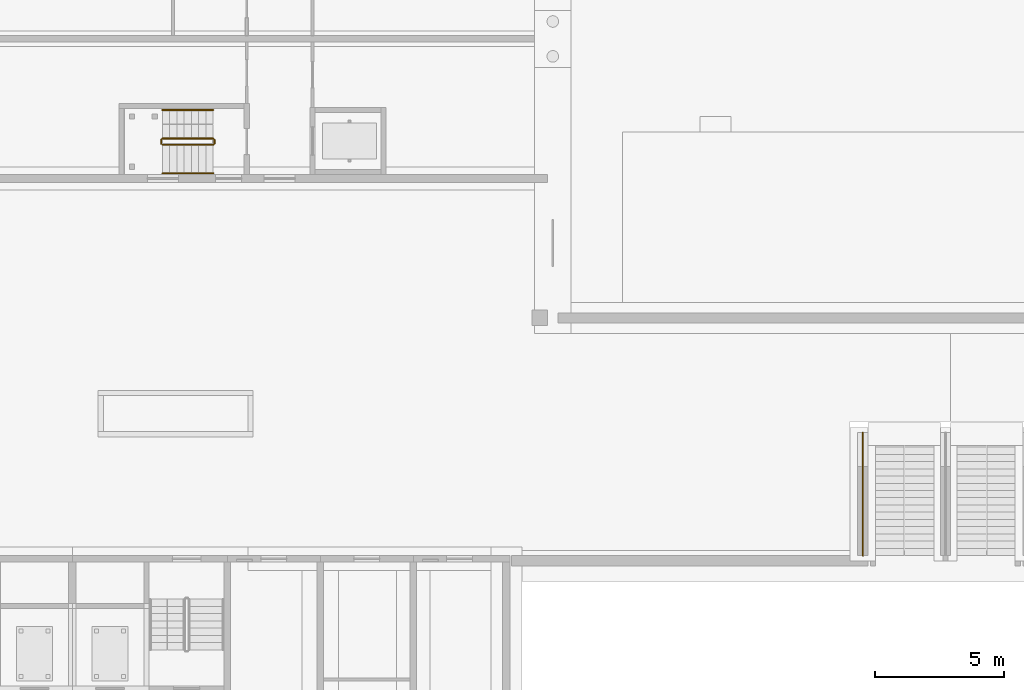
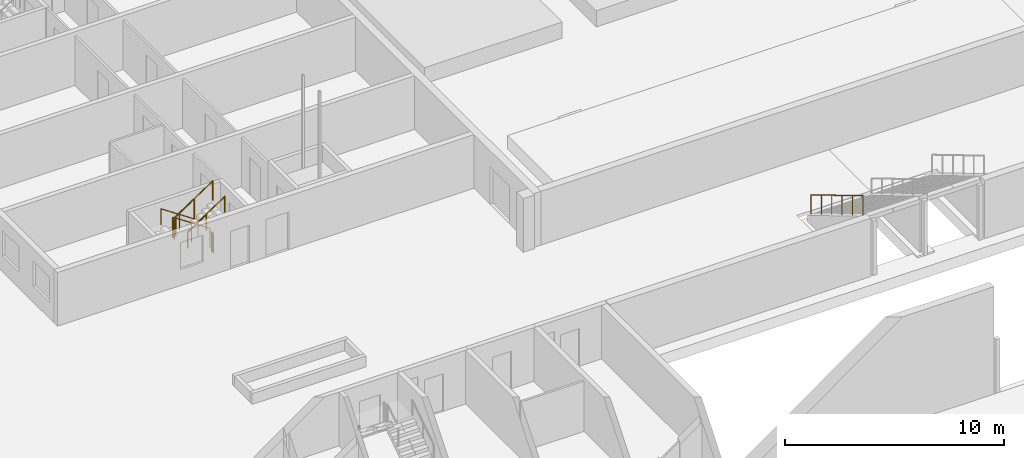
# One storey, part 92 of 112: 7 railings.
"""IFC4 building model written with IfcOpenShell, lengths in metres."""

from ifc_helpers import new_model, si_unit, direction, frame, origin, origin_2d, place, context, subcontext, project, spatial, circle, extrude, material, type_object, element, save


model = new_model("IFC4")

# Units and contexts
model_context = context("Model", 3, precision=1e-05, world=origin(), true_north=direction((0.0, 1.0)))
body_context = subcontext(model_context, "Body", "Model", "MODEL_VIEW")
ifc_project = project(units=[si_unit("LENGTHUNIT", "METRE"), si_unit("AREAUNIT", "SQUARE_METRE"), si_unit("VOLUMEUNIT", "CUBIC_METRE"), si_unit("PLANEANGLEUNIT", "RADIAN"), si_unit("MASSUNIT", "GRAM", prefix="KILO")], contexts=[model_context])

# Site, building, storey
site_placement = place(None, origin())
site = spatial("IfcSite", under=ifc_project, at=site_placement, CompositionType="ELEMENT")
building_placement = place(site_placement, origin())
building = spatial("IfcBuilding", under=site, at=building_placement, Name="Ridgestep Commons", CompositionType="ELEMENT")
storey_placement = place(building_placement, origin())
storey = spatial("IfcBuildingStorey", under=building, at=storey_placement, Name="L00", CompositionType="ELEMENT", Elevation=0.0)

# Railings
ifc_material_1 = material(Name="Structural steel S355JR", Category="steel")
railing_type_1 = type_object("IfcRailingType", Name="Community stair guard 1100", PredefinedType="GUARDRAIL", material=ifc_material_1)
railing_1_placement = place(storey_placement, frame((126.60009765625, 27.760009765625, 0.166748046875)))
element("IfcRailing", 1, at=railing_1_placement, inside=storey, type_object=railing_type_1, Name="Stair guard", PredefinedType="GUARDRAIL", context=body_context, shape_type="SweptSolid", body=[
    extrude(circle(Radius=0.02392578125, at=origin_2d()), frame((0.0, 0.0, 1.076171875), z_axis=(0.0, -0.859299802514, 0.511472237174), x_axis=(1.0, 0.0, 0.0)), (0.0, 0.0, 1.0), 5.539306640625),
    extrude(circle(Radius=0.02099609375, at=origin_2d()), origin(), (0.0, 0.0, 1.0), 1.052001953125),
    extrude(circle(Radius=0.02099609375, at=origin_2d()), frame((0.0, -0.951904296875, 0.566650390625)), (0.0, 0.0, 1.0), 1.052001953125),
    extrude(circle(Radius=0.02099609375, at=origin_2d()), frame((0.0, -1.904052734375, 1.13330078125)), (0.0, 0.0, 1.0), 1.052001953125),
    extrude(circle(Radius=0.02099609375, at=origin_2d()), frame((0.0, -2.85595703125, 1.699951171875)), (0.0, 0.0, 1.0), 1.052001953125),
    extrude(circle(Radius=0.02099609375, at=origin_2d()), frame((0.0, -3.80810546875, 2.2666015625)), (0.0, 0.0, 1.0), 1.052001953125),
    extrude(circle(Radius=0.02099609375, at=origin_2d()), frame((0.0, -4.760009765625, 2.833251953125)), (0.0, 0.0, 1.0), 1.052001953125),
])
railing_2_placement = place(storey_placement, frame((101.449951171875, 39.14990234375, 0.1875)))
element("IfcRailing", 2, at=railing_2_placement, inside=storey, type_object=railing_type_1, Name="L00 AW-ST0 stair guard 1", PredefinedType="GUARDRAIL", context=body_context, shape_type="SweptSolid", body=[
    extrude(circle(Radius=0.02392578125, at=origin_2d()), frame((0.0, 0.0, 1.076171875), z_axis=(-0.830902050051, 0.0, 0.556418712142), x_axis=(0.0, -1.0, 0.0)), (0.0, 0.0, 1.0), 2.35888671875),
    extrude(circle(Radius=0.02099609375, at=origin_2d()), origin(), (0.0, 0.0, 1.0), 1.052001953125),
    extrude(circle(Radius=0.02099609375, at=origin_2d()), frame((-0.97998046875, 0.0, 0.65625)), (0.0, 0.0, 1.0), 1.052001953125),
    extrude(circle(Radius=0.02099609375, at=origin_2d()), frame((-1.9599609375, 0.0, 1.3125)), (0.0, 0.0, 1.0), 1.052001953125),
])
railing_3_placement = place(storey_placement, frame((99.43994140625, 39.10009765625, 1.5)))
element("IfcRailing", 3, at=railing_3_placement, inside=storey, type_object=railing_type_1, Name="L00 AW-ST0 stair guard 2", PredefinedType="GUARDRAIL", context=body_context, shape_type="SweptSolid", body=[
    extrude(circle(Radius=0.02392578125, at=origin_2d()), frame((0.0, 0.0, 1.076171875), z_axis=(0.0, -1.0, 0.0), x_axis=(1.0, 0.0, 0.0)), (0.0, 0.0, 1.0), 0.150146484375),
    extrude(circle(Radius=0.02099609375, at=origin_2d()), origin(), (0.0, 0.0, 1.0), 1.052001953125),
    extrude(circle(Radius=0.02099609375, at=origin_2d()), frame((0.0, -0.150146484375, 0.0)), (0.0, 0.0, 1.0), 1.052001953125),
])
railing_4_placement = place(storey_placement, frame((99.489990234375, 38.89990234375, 1.6875)))
element("IfcRailing", 4, at=railing_4_placement, inside=storey, type_object=railing_type_1, Name="L00 AW-ST0 stair guard 3", PredefinedType="GUARDRAIL", context=body_context, shape_type="SweptSolid", body=[
    extrude(circle(Radius=0.02392578125, at=origin_2d()), frame((0.0, 0.0, 1.076171875), z_axis=(0.830902050051, 0.0, 0.556418712142), x_axis=(0.0, 1.0, 0.0)), (0.0, 0.0, 1.0), 2.35888671875),
    extrude(circle(Radius=0.02099609375, at=origin_2d()), origin(), (0.0, 0.0, 1.0), 1.052001953125),
    extrude(circle(Radius=0.02099609375, at=origin_2d()), frame((0.97998046875, 0.0, 0.65625)), (0.0, 0.0, 1.0), 1.052001953125),
    extrude(circle(Radius=0.02099609375, at=origin_2d()), frame((1.9599609375, 0.0, 1.3125)), (0.0, 0.0, 1.0), 1.052001953125),
])
railing_5_placement = place(storey_placement, frame((101.5, 39.10009765625, 0.0)))
element("IfcRailing", 5, at=railing_5_placement, inside=storey, type_object=railing_type_1, Name="L00 AW-ST0 stair guard 4", PredefinedType="GUARDRAIL", context=body_context, shape_type="SweptSolid", body=[
    extrude(circle(Radius=0.02392578125, at=origin_2d()), frame((0.0, 0.0, 1.076171875), z_axis=(0.0, -1.0, 0.0), x_axis=(1.0, 0.0, 0.0)), (0.0, 0.0, 1.0), 0.150146484375),
    extrude(circle(Radius=0.02099609375, at=origin_2d()), origin(), (0.0, 0.0, 1.0), 1.052001953125),
    extrude(circle(Radius=0.02099609375, at=origin_2d()), frame((0.0, -0.150146484375, 0.0)), (0.0, 0.0, 1.0), 1.052001953125),
])
ifc_material_2 = material(Name="Structural steel S355JR", Category="steel")
railing_type_2 = type_object("IfcRailingType", Name="Community stair handrail 900", PredefinedType="HANDRAIL", material=ifc_material_2)
railing_6_placement = place(storey_placement, frame((101.449951171875, 40.25, 0.1875)))
element("IfcRailing", 6, at=railing_6_placement, inside=storey, type_object=railing_type_2, Name="L00 AW-ST0 stair handrail 1", PredefinedType="HANDRAIL", context=body_context, shape_type="SweptSolid", body=[
    extrude(circle(Radius=0.02392578125, at=origin_2d()), frame((0.0, 0.0, 0.8759765625), z_axis=(-0.830902050051, 0.0, 0.556418712142), x_axis=(0.0, -1.0, 0.0)), (0.0, 0.0, 1.0), 2.35888671875),
    extrude(circle(Radius=0.02099609375, at=origin_2d()), origin(), (0.0, 0.0, 1.0), 0.851806640625),
    extrude(circle(Radius=0.02099609375, at=origin_2d()), frame((-0.97998046875, 0.0, 0.65625)), (0.0, 0.0, 1.0), 0.851806640625),
    extrude(circle(Radius=0.02099609375, at=origin_2d()), frame((-1.9599609375, 0.0, 1.3125)), (0.0, 0.0, 1.0), 0.851806640625),
])
railing_7_placement = place(storey_placement, frame((99.489990234375, 37.800048828125, 1.6875)))
element("IfcRailing", 7, at=railing_7_placement, inside=storey, type_object=railing_type_2, Name="L00 AW-ST0 stair handrail 2", PredefinedType="HANDRAIL", context=body_context, shape_type="SweptSolid", body=[
    extrude(circle(Radius=0.02392578125, at=origin_2d()), frame((0.0, 0.0, 0.8759765625), z_axis=(0.830902050051, 0.0, 0.556418712142), x_axis=(0.0, 1.0, 0.0)), (0.0, 0.0, 1.0), 2.35888671875),
    extrude(circle(Radius=0.02099609375, at=origin_2d()), origin(), (0.0, 0.0, 1.0), 0.851806640625),
    extrude(circle(Radius=0.02099609375, at=origin_2d()), frame((0.97998046875, 0.0, 0.65625)), (0.0, 0.0, 1.0), 0.851806640625),
    extrude(circle(Radius=0.02099609375, at=origin_2d()), frame((1.9599609375, 0.0, 1.3125)), (0.0, 0.0, 1.0), 0.851806640625),
])

save(model, "model.ifc")
